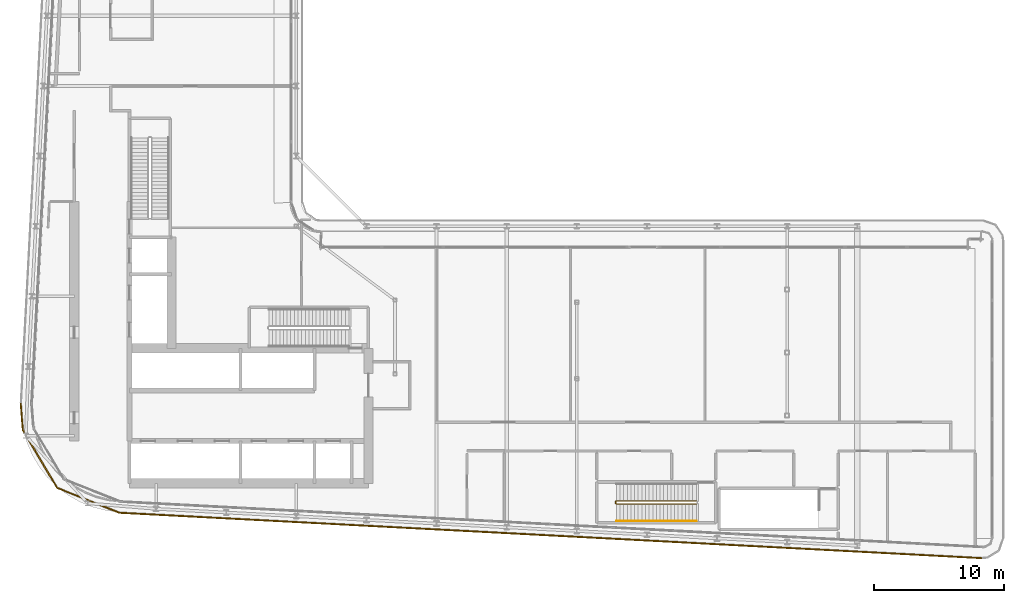
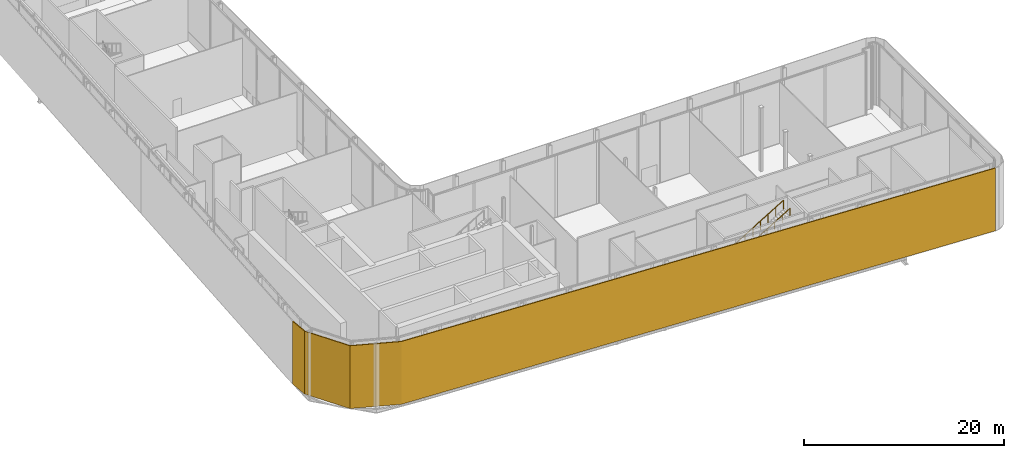
# One storey, part 34 of 38: 2 railings, 1 shading device.
"""IFC4 building model written with IfcOpenShell, lengths in metres."""

from ifc_helpers import new_model, si_unit, direction, frame, origin, origin_2d, place, context, subcontext, project, spatial, polyline, circle, outline, extrude, material, layer, layer_set, type_object, element, save


model = new_model("IFC4")

# Units and contexts
model_context = context("Model", 3, precision=1e-05, world=origin(), true_north=direction((0.0, 1.0)))
body_context = subcontext(model_context, "Body", "Model", "MODEL_VIEW")
ifc_project = project(units=[si_unit("LENGTHUNIT", "METRE"), si_unit("AREAUNIT", "SQUARE_METRE"), si_unit("VOLUMEUNIT", "CUBIC_METRE"), si_unit("PLANEANGLEUNIT", "RADIAN"), si_unit("MASSUNIT", "GRAM", prefix="KILO")], contexts=[model_context])

# Site, building, storey
site_placement = place(None, origin())
site = spatial("IfcSite", under=ifc_project, at=site_placement, CompositionType="ELEMENT")
building_placement = place(site_placement, origin())
building = spatial("IfcBuilding", under=site, at=building_placement, Name="Kheshtan School and Residences Tower", CompositionType="ELEMENT")
storey_placement = place(building_placement, frame((0.0, 0.0, 203.300048828125)))
storey = spatial("IfcBuildingStorey", under=building, at=storey_placement, Name="L48", CompositionType="ELEMENT", Elevation=203.300048828125)

# Shading device
ifc_material_1 = material(Name="Terracotta baguette, extruded ceramic", Category="masonry")
ifc_layer = layer(ifc_material_1, 0.10009765625)
ifc_layer_set = layer_set([ifc_layer], Name="Ledge screen, terracotta baguettes")
shading_device_type = type_object("IfcShadingDeviceType", Name="Ledge screen, terracotta baguettes", PredefinedType="USERDEFINED", material=ifc_layer_set)
shading_device_placement = place(storey_placement, origin())
element("IfcShadingDevice", 1, at=shading_device_placement, inside=storey, type_object=shading_device_type, Name="Screen L48 5", ObjectType="BAGUETTE", PredefinedType="USERDEFINED", context=body_context, shape_type="SweptSolid", body=[
    extrude(outline(polyline([(100.4208984375, 20.0830078125), (33.989013671875, 23.580078125), (29.2119140625, 25.486083984375), (26.583984375, 29.906982421875), (26.419921875, 31.989013671875), (26.320068359375, 31.98095703125), (26.486083984375, 29.8759765625), (29.14306640625, 25.406005859375), (33.967041015625, 23.48095703125), (100.416015625, 19.98291015625), (100.4208984375, 20.0830078125)])), origin(), (0.0, 0.0, 1.0), 7.64990234375),
])

# Railings
ifc_material_2 = material(Name="Stainless steel balustrade", Category="steel")
railing_type_1 = type_object("IfcRailingType", Name="Stair guard 1100", PredefinedType="GUARDRAIL", material=ifc_material_2)
railing_1_placement = place(storey_placement, frame((78.409912109375, 24.449951171875, 0.16943359375)))
element("IfcRailing", 2, at=railing_1_placement, inside=storey, type_object=railing_type_1, Name="L48 ST5 stair guard 1", PredefinedType="GUARDRAIL", context=body_context, shape_type="SweptSolid", body=[
    extrude(circle(Radius=0.02392578125, at=origin_2d()), frame((0.0, 0.0, 1.076171875), z_axis=(-0.855370820849, 0.0, 0.518016176234), x_axis=(0.0, -1.0, 0.0)), (0.0, 0.0, 1.0), 7.201416015625),
    extrude(circle(Radius=0.02392578125, at=origin_2d()), frame((-6.159912109375, 0.0, 4.806640625), z_axis=(-0.707106781187, -0.707106781187, 0.0), x_axis=(0.707106781187, -0.707106781187, 0.0)), (0.0, 0.0, 1.0), 0.07080078125),
    extrude(circle(Radius=0.02392578125, at=origin_2d()), frame((-6.2099609375, -0.050048828125, 4.806640625), z_axis=(0.0, -1.0, 0.0), x_axis=(1.0, 0.0, 0.0)), (0.0, 0.0, 1.0), 0.14990234375),
    extrude(circle(Radius=0.02392578125, at=origin_2d()), frame((-6.2099609375, -0.199951171875, 4.806640625), z_axis=(0.272228512635, -0.272228512635, 0.92292105503), x_axis=(0.707106781187, 0.707106781187, 0.0)), (0.0, 0.0, 1.0), 0.183837890625),
    extrude(circle(Radius=0.02392578125, at=origin_2d()), frame((-6.159912109375, -0.25, 4.97607421875), z_axis=(0.855370820849, 0.0, 0.518016176234), x_axis=(0.0, 1.0, 0.0)), (0.0, 0.0, 1.0), 7.201416015625),
    extrude(circle(Radius=0.02099609375, at=origin_2d()), origin(), (0.0, 0.0, 1.0), 1.052001953125),
    extrude(circle(Radius=0.02099609375, at=origin_2d()), frame((-0.8798828125, 0.0, 0.532958984375)), (0.0, 0.0, 1.0), 1.052001953125),
    extrude(circle(Radius=0.02099609375, at=origin_2d()), frame((-1.760009765625, 0.0, 1.06591796875)), (0.0, 0.0, 1.0), 1.052001953125),
    extrude(circle(Radius=0.02099609375, at=origin_2d()), frame((-2.639892578125, 0.0, 1.598876953125)), (0.0, 0.0, 1.0), 1.052001953125),
    extrude(circle(Radius=0.02099609375, at=origin_2d()), frame((-3.52001953125, 0.0, 2.131591796875)), (0.0, 0.0, 1.0), 1.052001953125),
    extrude(circle(Radius=0.02099609375, at=origin_2d()), frame((-4.39990234375, 0.0, 2.66455078125)), (0.0, 0.0, 1.0), 1.052001953125),
    extrude(circle(Radius=0.02099609375, at=origin_2d()), frame((-5.280029296875, 0.0, 3.197509765625)), (0.0, 0.0, 1.0), 1.052001953125),
    extrude(circle(Radius=0.02099609375, at=origin_2d()), frame((-6.159912109375, 0.0, 3.73046875)), (0.0, 0.0, 1.0), 1.052001953125),
    extrude(circle(Radius=0.02099609375, at=origin_2d()), frame((-6.2099609375, -0.050048828125, 3.73046875)), (0.0, 0.0, 1.0), 1.052001953125),
    extrude(circle(Radius=0.02099609375, at=origin_2d()), frame((-6.2099609375, -0.199951171875, 3.73046875)), (0.0, 0.0, 1.0), 1.052001953125),
    extrude(circle(Radius=0.02099609375, at=origin_2d()), frame((-6.159912109375, -0.25, 3.900146484375)), (0.0, 0.0, 1.0), 1.052001953125),
    extrude(circle(Radius=0.02099609375, at=origin_2d()), frame((-5.280029296875, -0.25, 4.43310546875)), (0.0, 0.0, 1.0), 1.052001953125),
    extrude(circle(Radius=0.02099609375, at=origin_2d()), frame((-4.39990234375, -0.25, 4.966064453125)), (0.0, 0.0, 1.0), 1.052001953125),
    extrude(circle(Radius=0.02099609375, at=origin_2d()), frame((-3.52001953125, -0.25, 5.4990234375)), (0.0, 0.0, 1.0), 1.052001953125),
    extrude(circle(Radius=0.02099609375, at=origin_2d()), frame((-2.639892578125, -0.25, 6.03173828125)), (0.0, 0.0, 1.0), 1.052001953125),
    extrude(circle(Radius=0.02099609375, at=origin_2d()), frame((-1.760009765625, -0.25, 6.564697265625)), (0.0, 0.0, 1.0), 1.052001953125),
    extrude(circle(Radius=0.02099609375, at=origin_2d()), frame((-0.8798828125, -0.25, 7.09765625)), (0.0, 0.0, 1.0), 1.052001953125),
    extrude(circle(Radius=0.02099609375, at=origin_2d()), frame((0.0, -0.25, 7.630615234375)), (0.0, 0.0, 1.0), 1.052001953125),
])
ifc_material_3 = material(Name="Stainless steel handrail", Category="steel")
railing_type_2 = type_object("IfcRailingType", Name="Stair handrail 900", PredefinedType="HANDRAIL", material=ifc_material_3)
railing_2_placement = place(storey_placement, frame((72.25, 22.89990234375, 4.069580078125)))
element("IfcRailing", 3, at=railing_2_placement, inside=storey, type_object=railing_type_2, Name="L48 ST5 stair handrail 2", PredefinedType="HANDRAIL", context=body_context, shape_type="SweptSolid", body=[
    extrude(circle(Radius=0.02392578125, at=origin_2d()), frame((0.0, 0.0, 0.8759765625), z_axis=(0.855370820849, 0.0, 0.518016176234), x_axis=(0.0, 1.0, 0.0)), (0.0, 0.0, 1.0), 7.201416015625),
    extrude(circle(Radius=0.02099609375, at=origin_2d()), origin(), (0.0, 0.0, 1.0), 0.851806640625),
    extrude(circle(Radius=0.02099609375, at=origin_2d()), frame((0.8798828125, 0.0, 0.532958984375)), (0.0, 0.0, 1.0), 0.851806640625),
    extrude(circle(Radius=0.02099609375, at=origin_2d()), frame((1.760009765625, 0.0, 1.06591796875)), (0.0, 0.0, 1.0), 0.851806640625),
    extrude(circle(Radius=0.02099609375, at=origin_2d()), frame((2.639892578125, 0.0, 1.598876953125)), (0.0, 0.0, 1.0), 0.851806640625),
    extrude(circle(Radius=0.02099609375, at=origin_2d()), frame((3.52001953125, 0.0, 2.131591796875)), (0.0, 0.0, 1.0), 0.851806640625),
    extrude(circle(Radius=0.02099609375, at=origin_2d()), frame((4.39990234375, 0.0, 2.66455078125)), (0.0, 0.0, 1.0), 0.851806640625),
    extrude(circle(Radius=0.02099609375, at=origin_2d()), frame((5.280029296875, 0.0, 3.197509765625)), (0.0, 0.0, 1.0), 0.851806640625),
    extrude(circle(Radius=0.02099609375, at=origin_2d()), frame((6.159912109375, 0.0, 3.73046875)), (0.0, 0.0, 1.0), 0.851806640625),
])

save(model, "model.ifc")
